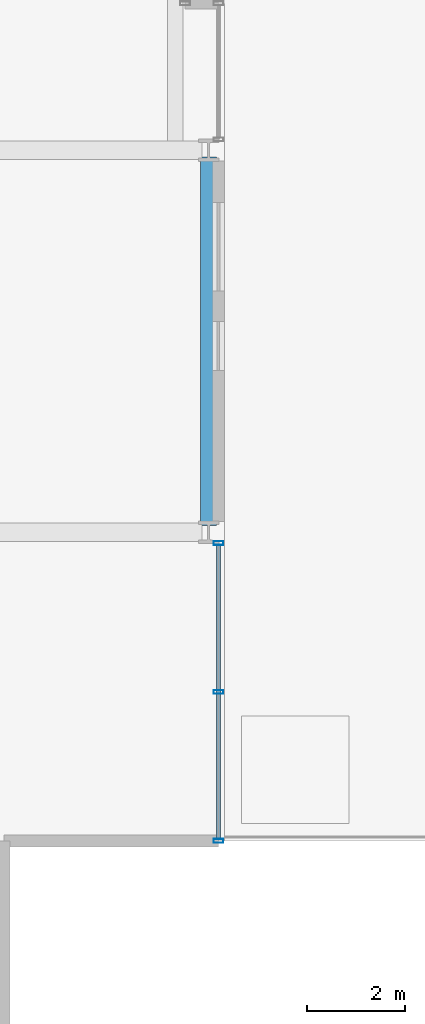
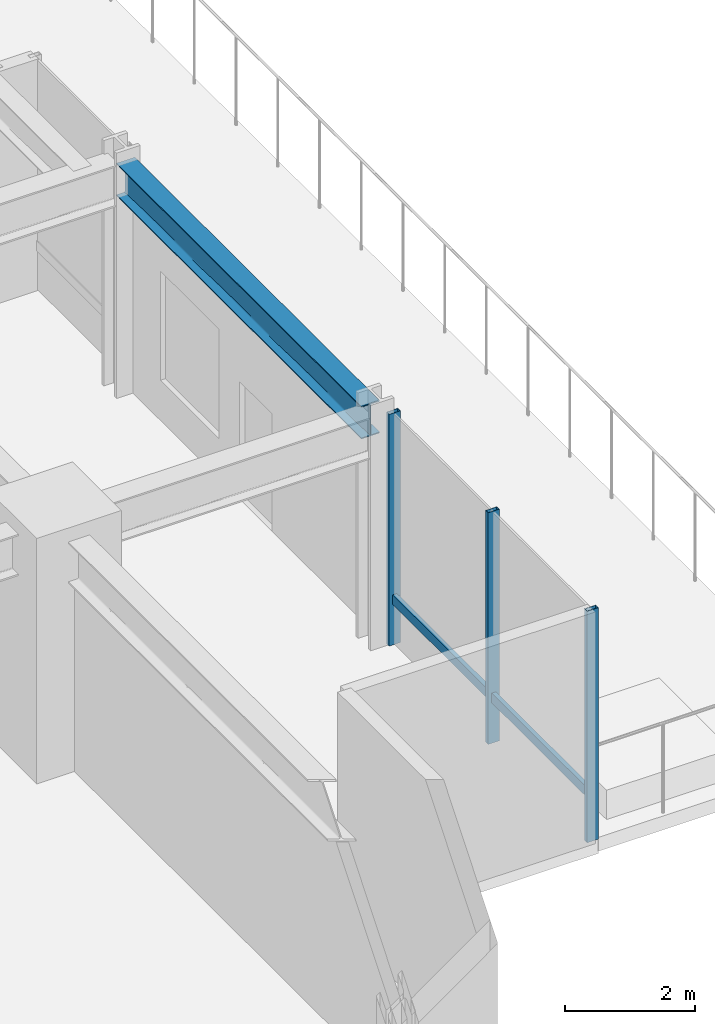
# One storey, part 13 of 33: 4 members, 1 beam, 1 element without a shape of its own.
"""IFC4 building model written with IfcOpenShell, lengths in metres."""

from ifc_helpers import new_model, si_unit, direction, frame, origin, origin_2d, place, context, subcontext, project, spatial, hollow_rectangle, i_section, extrude, material, layer, layer_set, material_profile, profile_set, type_object, element, aggregate, save


model = new_model("IFC4")

# Units and contexts
model_context = context("Model", 3, precision=1e-05, world=origin(), true_north=direction((0.0, 1.0)))
body_context = subcontext(model_context, "Body", "Model", "MODEL_VIEW")
ifc_project = project(units=[si_unit("LENGTHUNIT", "METRE"), si_unit("AREAUNIT", "SQUARE_METRE"), si_unit("VOLUMEUNIT", "CUBIC_METRE"), si_unit("PLANEANGLEUNIT", "RADIAN"), si_unit("MASSUNIT", "GRAM", prefix="KILO")], contexts=[model_context])

# Site, building, storey
site_placement = place(None, origin())
site = spatial("IfcSite", under=ifc_project, at=site_placement, CompositionType="ELEMENT")
building_placement = place(site_placement, origin())
building = spatial("IfcBuilding", under=site, at=building_placement, Name="Drelvath Grand Hotel", CompositionType="ELEMENT")
storey_placement = place(building_placement, frame((0.0, 0.0, 87.199951171875)))
storey = spatial("IfcBuildingStorey", under=building, at=storey_placement, Name="L21", CompositionType="ELEMENT", Elevation=87.199951171875)

# Curtain wall, members
ifc_material_1 = material(Name="Champagne Bronze Anodised Aluminium Frame", Category="aluminium")
ifc_layer = layer(ifc_material_1, 0.199951171875)
ifc_layer_set = layer_set([ifc_layer], Name="Champagne Bronze Anodised Aluminium Frame")
curtain_wall_type = type_object("IfcCurtainWallType", Name="Stick Curtain Wall CW-03 Champagne Bronze Mid-Rise", PredefinedType="NOTDEFINED", material=ifc_layer_set)
curtain_wall_placement = place(storey_placement, origin())
curtain_wall = element("IfcCurtainWall", 1, at=curtain_wall_placement, inside=storey, type_object=curtain_wall_type, Name="L21 CW-03 Curtain Wall CW03-L21-ES1", PredefinedType="NOTDEFINED")
ifc_material_profile_1 = material_profile(ifc_material_1, hollow_rectangle(XDim=0.074951171875, YDim=0.179931640625, WallThickness=0.0048828125, at=origin_2d()), Name="HSS180X75X5")
ifc_profile_set_1 = profile_set([ifc_material_profile_1], Name="Champagne Bronze Anodised Aluminium Frame")
member_type_1 = type_object("IfcMemberType", Name="Curtain Wall Horizontal Transom CW-03 HSS180X75X5", PredefinedType="USERDEFINED", material=ifc_profile_set_1)
member_1_placement = place(storey_placement, frame((22.080078125, 10.540283203125, 0.85009765625), z_axis=(0.0, -1.0, 0.0), x_axis=(1.0, 0.0, 0.0)))
member_1 = element("IfcMember", 2, at=member_1_placement, type_object=member_type_1, Name="CW03-L21-ES1 Sill Transom", ObjectType="TRANSOM", PredefinedType="USERDEFINED", context=body_context, shape_type="SweptSolid", body=[
    extrude(hollow_rectangle(XDim=0.074951171875, YDim=0.179931640625, WallThickness=0.0048828125, at=origin_2d()), origin(), (0.0, 0.0, 1.0), 6.000244140625),
])
ifc_material_profile_2 = material_profile(ifc_material_1, hollow_rectangle(XDim=0.080078125, YDim=0.199951171875, WallThickness=0.0048828125, at=origin_2d()), Name="HSS200X80X5")
ifc_profile_set_2 = profile_set([ifc_material_profile_2], Name="Champagne Bronze Anodised Aluminium Frame")
member_type_2 = type_object("IfcMemberType", Name="Curtain Wall Vertical Mullion CW-03 HSS200X80X5", PredefinedType="MULLION", material=ifc_profile_set_2)
member_2_placement = place(storey_placement, frame((22.080078125, 10.580322265625, 0.0), z_axis=(0.0, 0.0, 1.0), x_axis=(0.0, 1.0, 0.0)))
member_2 = element("IfcMember", 3, at=member_2_placement, type_object=member_type_2, Name="CW03-L21-ES1 Mullion 1", PredefinedType="MULLION", context=body_context, shape_type="SweptSolid", body=[
    extrude(hollow_rectangle(XDim=0.080078125, YDim=0.199951171875, WallThickness=0.0048828125, at=origin_2d()), origin(), (0.0, 0.0, 1.0), 4.340087890625),
])
member_3_placement = place(storey_placement, frame((22.080078125, 7.540283203125, 0.0), z_axis=(0.0, 0.0, 1.0), x_axis=(0.0, 1.0, 0.0)))
member_3 = element("IfcMember", 4, at=member_3_placement, type_object=member_type_2, Name="CW03-L21-ES1 Mullion 2", PredefinedType="MULLION", context=body_context, shape_type="SweptSolid", body=[
    extrude(hollow_rectangle(XDim=0.080078125, YDim=0.199951171875, WallThickness=0.0048828125, at=origin_2d()), origin(), (0.0, 0.0, 1.0), 4.340087890625),
])
member_4_placement = place(storey_placement, frame((22.080078125, 4.5, 0.0), z_axis=(0.0, 0.0, 1.0), x_axis=(0.0, 1.0, 0.0)))
member_4 = element("IfcMember", 5, at=member_4_placement, type_object=member_type_2, Name="CW03-L21-ES1 Mullion 3", PredefinedType="MULLION", context=body_context, shape_type="SweptSolid", body=[
    extrude(hollow_rectangle(XDim=0.080078125, YDim=0.199951171875, WallThickness=0.0048828125, at=origin_2d()), origin(), (0.0, 0.0, 1.0), 4.340087890625),
])
aggregate(curtain_wall, [member_2, member_3, member_4, member_1])

# Beam
ifc_material_2 = material(Name="Steel ASTM A992 Gr 50", Category="steel")
ifc_material_profile_3 = material_profile(ifc_material_2, i_section(OverallWidth=0.323974609375, OverallDepth=0.611083984375, WebThickness=0.0126953125, FlangeThickness=0.01904296875, FilletRadius=0.02197265625, at=origin_2d()), Name="W24X104")
ifc_profile_set_3 = profile_set([ifc_material_profile_3], Name="Steel ASTM A992 Gr 50")
beam_type = type_object("IfcBeamType", Name="Perimeter Spandrel Beam W24X104", PredefinedType="SPANDREL", material=ifc_profile_set_3)
beam_placement = place(storey_placement, frame((21.8798828125, 10.93994140625, 4.03466796875), z_axis=(0.0, 1.0, 0.0), x_axis=(-1.0, 0.0, 0.0)))
element("IfcBeam", 6, at=beam_placement, inside=storey, type_object=beam_type, Name="L21 Spandrel East S", PredefinedType="SPANDREL", context=body_context, shape_type="SweptSolid", body=[
    extrude(i_section(OverallWidth=0.323974609375, OverallDepth=0.611083984375, WebThickness=0.0126953125, FlangeThickness=0.01904296875, FilletRadius=0.02197265625, at=origin_2d()), origin(), (0.0, 0.0, 1.0), 7.52001953125),
])

save(model, "model.ifc")
